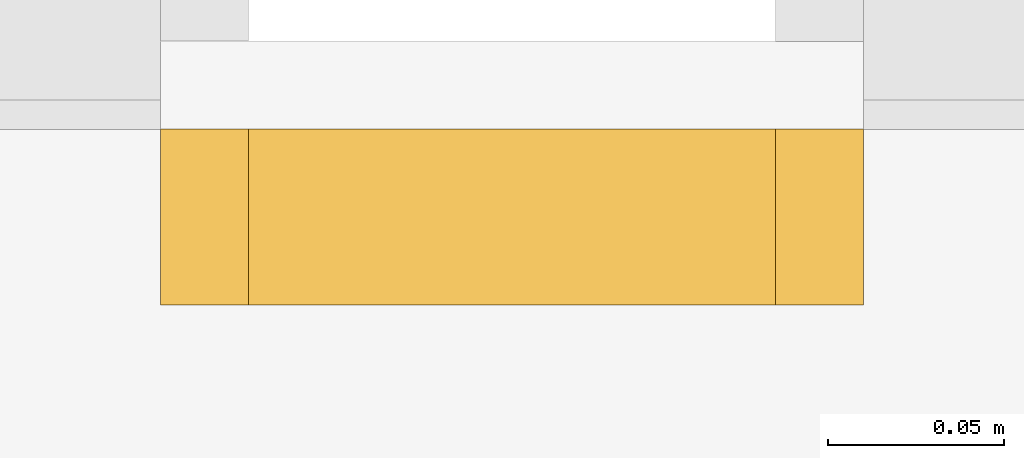
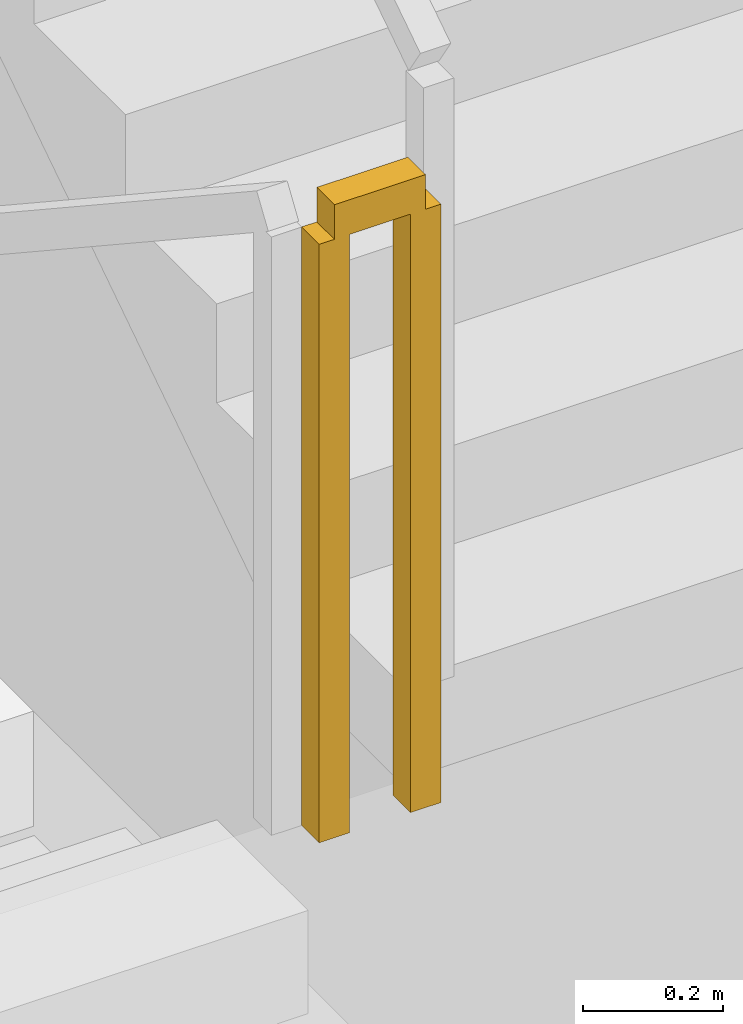
# One storey, part 19 of 22: 1 railing.
"""IFC4 building model written with IfcOpenShell, lengths in metres."""

from ifc_helpers import new_model, si_unit, direction, frame, origin, origin_2d, place, context, subcontext, project, spatial, rectangle, extrude, material, type_object, element, save


model = new_model("IFC4")

# Units and contexts
model_context = context("Model", 3, precision=1e-05, world=origin(), true_north=direction((0.0, 1.0)))
body_context = subcontext(model_context, "Body", "Model", "MODEL_VIEW")
ifc_project = project(units=[si_unit("LENGTHUNIT", "METRE"), si_unit("AREAUNIT", "SQUARE_METRE"), si_unit("VOLUMEUNIT", "CUBIC_METRE"), si_unit("PLANEANGLEUNIT", "RADIAN"), si_unit("MASSUNIT", "GRAM", prefix="KILO")], contexts=[model_context])

# Site, building, storey
site_placement = place(None, origin())
site = spatial("IfcSite", under=ifc_project, at=site_placement, CompositionType="ELEMENT")
building_placement = place(site_placement, origin())
building = spatial("IfcBuilding", under=site, at=building_placement, Name="Khepri Terraces", CompositionType="ELEMENT")
storey_placement = place(building_placement, frame((0.0, 0.0, 22.199951171875)))
storey = spatial("IfcBuildingStorey", under=building, at=storey_placement, Name="L04", CompositionType="ELEMENT", Elevation=22.199951171875)

# Railing
ifc_material = material(Name="Stainless steel 316", Category="steel")
railing_type = type_object("IfcRailingType", Name="RL-CORE-GUARD", PredefinedType="GUARDRAIL", material=ifc_material)
railing_placement = place(storey_placement, frame((3.5, -3.3798828125, 2.400146484375)))
element("IfcRailing", 1, at=railing_placement, inside=storey, type_object=railing_type, Name="L04 ST-2 stair guard 2", PredefinedType="GUARDRAIL", context=body_context, shape_type="SweptSolid", body=[
    extrude(rectangle(XDim=0.050048828125, YDim=0.06005859375, at=origin_2d()), frame((0.0, 0.0, 1.070068359375), z_axis=(1.0, 0.0, 0.0), x_axis=(0.0, 1.0, 0.0)), (0.0, 0.0, 1.0), 0.14990234375),
    extrude(rectangle(XDim=0.050048828125, YDim=0.050048828125, at=origin_2d()), origin(), (0.0, 0.0, 1.0), 1.0400390625),
    extrude(rectangle(XDim=0.050048828125, YDim=0.050048828125, at=origin_2d()), frame((0.14990234375, 0.0, 0.0)), (0.0, 0.0, 1.0), 1.0400390625),
])

save(model, "model.ifc")
